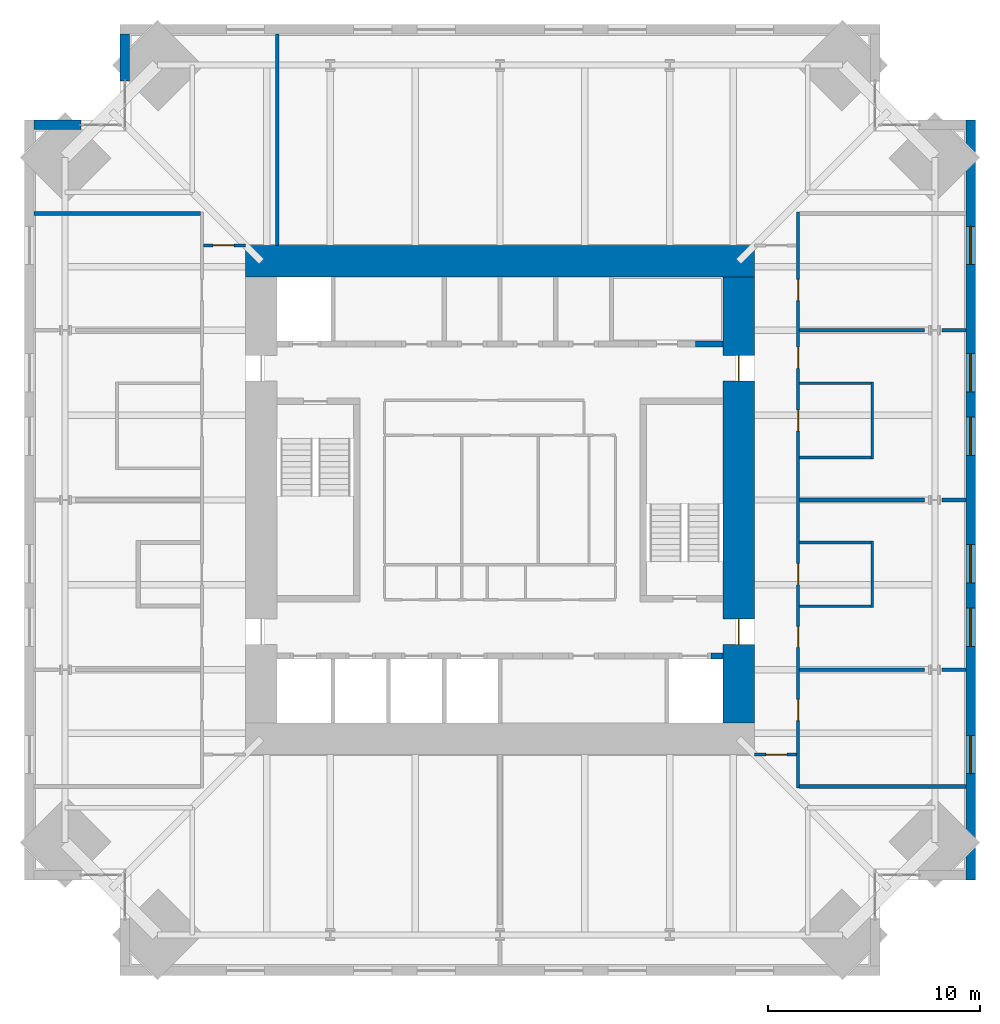
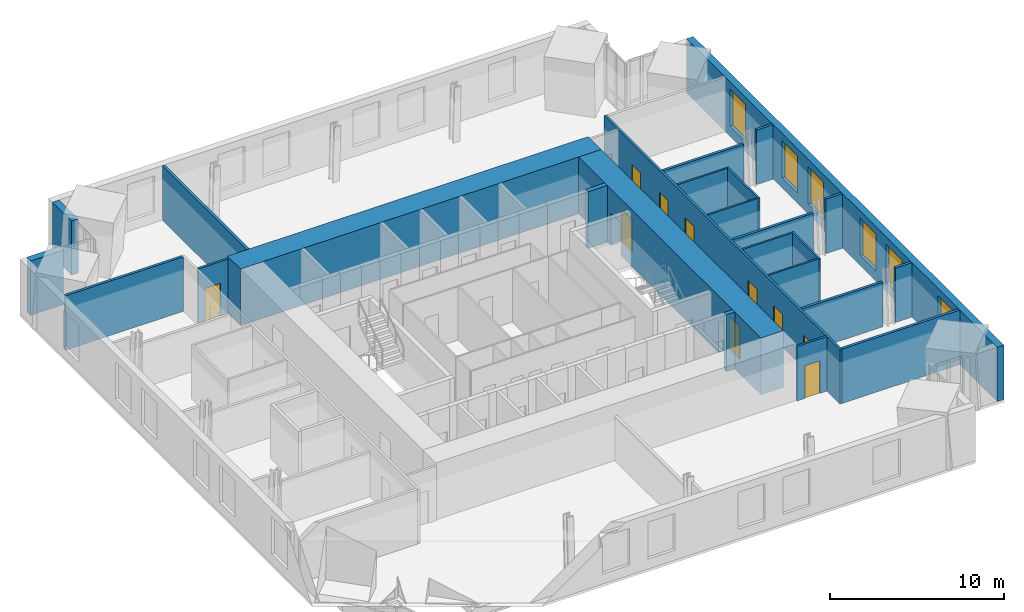
# One storey, part 15 of 17: 25 walls, 10 doors, 6 windows, 16 openings.
"""IFC4 building model written with IfcOpenShell, lengths in metres."""

from ifc_helpers import new_model, si_unit, direction, frame, frame_2d, origin, place, context, subcontext, project, spatial, rectangle, extrude, material, layer, layer_set, type_object, element, fill, save


model = new_model("IFC4")

# Units and contexts
model_context = context("Model", 3, precision=1e-05, world=origin(), true_north=direction((0.0, 1.0)))
body_context = subcontext(model_context, "Body", "Model", "MODEL_VIEW")
ifc_project = project(units=[si_unit("LENGTHUNIT", "METRE"), si_unit("AREAUNIT", "SQUARE_METRE"), si_unit("VOLUMEUNIT", "CUBIC_METRE"), si_unit("PLANEANGLEUNIT", "RADIAN"), si_unit("MASSUNIT", "GRAM", prefix="KILO")], contexts=[model_context])

# Site, building, storey
site_placement = place(None, origin())
site = spatial("IfcSite", under=ifc_project, at=site_placement, CompositionType="ELEMENT")
building_placement = place(site_placement, origin())
building = spatial("IfcBuilding", under=site, at=building_placement, Name="Peilmerk Tower", CompositionType="ELEMENT")
storey_placement = place(building_placement, frame((0.0, 0.0, 257.800048828125)))
storey = spatial("IfcBuildingStorey", under=building, at=storey_placement, Name="L57", CompositionType="ELEMENT", Elevation=257.800048828125)

# Wall, openings, windows
ifc_material_1 = material(Name="Precast concrete C45/55, board-marked finish", Category="concrete")
ifc_layer_1 = layer(ifc_material_1, 0.449951171875)
ifc_layer_set_1 = layer_set([ifc_layer_1], Name="Precast concrete C45/55, board-marked finish")
wall_type_1 = type_object("IfcWallType", Name="EW1 450 precast concrete facade wall, board-marked", PredefinedType="SOLIDWALL", material=ifc_layer_set_1)
wall_1_placement = place(storey_placement, frame((22.175048828125, -17.89990234375, 0.0), z_axis=(0.0, 0.0, 1.0), x_axis=(0.0, 1.0, 0.0)))
wall_1 = element("IfcWall", 1, at=wall_1_placement, inside=storey, type_object=wall_type_1, Name="Facade wall E L57", PredefinedType="SOLIDWALL", context=body_context, shape_type="SweptSolid", body=[
    extrude(rectangle(XDim=35.7998046875, YDim=0.449951171875, at=frame_2d((17.89990234375, 0.0))), origin(), (0.0, 0.0, 1.0), 3.829833984375),
])
opening_1_placement = place(wall_1_placement, frame((5.0, 0.0, 0.699951171875)))
opening_1 = element("IfcOpeningElement", 2, at=opening_1_placement, cuts=wall_1, Name="Opening W1", PredefinedType="OPENING", context=body_context, shape_type="SweptSolid", body=[
    extrude(rectangle(XDim=1.800048828125, YDim=2.60009765625, at=frame_2d((0.89990234375, 1.300048828125))), frame((0.0, 0.23486328125, 0.0), z_axis=(0.0, -1.0, 0.0), x_axis=(1.0, 0.0, 0.0)), (0.0, 0.0, 1.0), 0.469970703125),
])
opening_2_placement = place(wall_1_placement, frame((11.0, 0.0, 0.699951171875)))
opening_2 = element("IfcOpeningElement", 3, at=opening_2_placement, cuts=wall_1, Name="Opening W1", PredefinedType="OPENING", context=body_context, shape_type="SweptSolid", body=[
    extrude(rectangle(XDim=1.800048828125, YDim=2.60009765625, at=frame_2d((0.89990234375, 1.300048828125))), frame((0.0, 0.23486328125, 0.0), z_axis=(0.0, -1.0, 0.0), x_axis=(1.0, 0.0, 0.0)), (0.0, 0.0, 1.0), 0.469970703125),
])
opening_3_placement = place(wall_1_placement, frame((14.0, 0.0, 0.699951171875)))
opening_3 = element("IfcOpeningElement", 4, at=opening_3_placement, cuts=wall_1, Name="Opening W1", PredefinedType="OPENING", context=body_context, shape_type="SweptSolid", body=[
    extrude(rectangle(XDim=1.800048828125, YDim=2.60009765625, at=frame_2d((0.89990234375, 1.300048828125))), frame((0.0, 0.23486328125, 0.0), z_axis=(0.0, -1.0, 0.0), x_axis=(1.0, 0.0, 0.0)), (0.0, 0.0, 1.0), 0.469970703125),
])
opening_4_placement = place(wall_1_placement, frame((20.0, 0.0, 0.699951171875)))
opening_4 = element("IfcOpeningElement", 5, at=opening_4_placement, cuts=wall_1, Name="Opening W1", PredefinedType="OPENING", context=body_context, shape_type="SweptSolid", body=[
    extrude(rectangle(XDim=1.800048828125, YDim=2.60009765625, at=frame_2d((0.89990234375, 1.300048828125))), frame((0.0, 0.23486328125, 0.0), z_axis=(0.0, -1.0, 0.0), x_axis=(1.0, 0.0, 0.0)), (0.0, 0.0, 1.0), 0.469970703125),
])
opening_5_placement = place(wall_1_placement, frame((23.0, 0.0, 0.699951171875)))
opening_5 = element("IfcOpeningElement", 6, at=opening_5_placement, cuts=wall_1, Name="Opening W1", PredefinedType="OPENING", context=body_context, shape_type="SweptSolid", body=[
    extrude(rectangle(XDim=1.800048828125, YDim=2.60009765625, at=frame_2d((0.89990234375, 1.300048828125))), frame((0.0, 0.23486328125, 0.0), z_axis=(0.0, -1.0, 0.0), x_axis=(1.0, 0.0, 0.0)), (0.0, 0.0, 1.0), 0.469970703125),
])
opening_6_placement = place(wall_1_placement, frame((29.0, 0.0, 0.699951171875)))
opening_6 = element("IfcOpeningElement", 7, at=opening_6_placement, cuts=wall_1, Name="Opening W1", PredefinedType="OPENING", context=body_context, shape_type="SweptSolid", body=[
    extrude(rectangle(XDim=1.800048828125, YDim=2.60009765625, at=frame_2d((0.89990234375, 1.300048828125))), frame((0.0, 0.23486328125, 0.0), z_axis=(0.0, -1.0, 0.0), x_axis=(1.0, 0.0, 0.0)), (0.0, 0.0, 1.0), 0.469970703125),
])
ifc_material_2 = material(Name="Aluminium frame, clear double glazing", Category="aluminium")
window_type = type_object("IfcWindowType", Name="W1 1800x2600 office window", PartitioningType="SINGLE_PANEL", PredefinedType="WINDOW", material=ifc_material_2)
window_1_placement = place(opening_1_placement, origin())
window_1 = element("IfcWindow", 8, at=window_1_placement, inside=storey, type_object=window_type, Name="Window W1 L57", OverallHeight=2.60009765625, OverallWidth=1.800048828125, PartitioningType="SINGLE_PANEL", PredefinedType="WINDOW", context=body_context, shape_type="SweptSolid", body=[
    extrude(rectangle(XDim=1.800048828125, YDim=2.60009765625, at=frame_2d((0.89990234375, 1.300048828125))), frame((0.0, 0.030029296875, 0.0), z_axis=(0.0, -1.0, 0.0), x_axis=(1.0, 0.0, 0.0)), (0.0, 0.0, 1.0), 0.06005859375),
])
fill(opening_1, window_1)
window_2_placement = place(opening_2_placement, origin())
window_2 = element("IfcWindow", 9, at=window_2_placement, inside=storey, type_object=window_type, Name="Window W1 L57", OverallHeight=2.60009765625, OverallWidth=1.800048828125, PartitioningType="SINGLE_PANEL", PredefinedType="WINDOW", context=body_context, shape_type="SweptSolid", body=[
    extrude(rectangle(XDim=1.800048828125, YDim=2.60009765625, at=frame_2d((0.89990234375, 1.300048828125))), frame((0.0, 0.030029296875, 0.0), z_axis=(0.0, -1.0, 0.0), x_axis=(1.0, 0.0, 0.0)), (0.0, 0.0, 1.0), 0.06005859375),
])
fill(opening_2, window_2)
window_3_placement = place(opening_3_placement, origin())
window_3 = element("IfcWindow", 10, at=window_3_placement, inside=storey, type_object=window_type, Name="Window W1 L57", OverallHeight=2.60009765625, OverallWidth=1.800048828125, PartitioningType="SINGLE_PANEL", PredefinedType="WINDOW", context=body_context, shape_type="SweptSolid", body=[
    extrude(rectangle(XDim=1.800048828125, YDim=2.60009765625, at=frame_2d((0.89990234375, 1.300048828125))), frame((0.0, 0.030029296875, 0.0), z_axis=(0.0, -1.0, 0.0), x_axis=(1.0, 0.0, 0.0)), (0.0, 0.0, 1.0), 0.06005859375),
])
fill(opening_3, window_3)
window_4_placement = place(opening_4_placement, origin())
window_4 = element("IfcWindow", 11, at=window_4_placement, inside=storey, type_object=window_type, Name="Window W1 L57", OverallHeight=2.60009765625, OverallWidth=1.800048828125, PartitioningType="SINGLE_PANEL", PredefinedType="WINDOW", context=body_context, shape_type="SweptSolid", body=[
    extrude(rectangle(XDim=1.800048828125, YDim=2.60009765625, at=frame_2d((0.89990234375, 1.300048828125))), frame((0.0, 0.030029296875, 0.0), z_axis=(0.0, -1.0, 0.0), x_axis=(1.0, 0.0, 0.0)), (0.0, 0.0, 1.0), 0.06005859375),
])
fill(opening_4, window_4)
window_5_placement = place(opening_5_placement, origin())
window_5 = element("IfcWindow", 12, at=window_5_placement, inside=storey, type_object=window_type, Name="Window W1 L57", OverallHeight=2.60009765625, OverallWidth=1.800048828125, PartitioningType="SINGLE_PANEL", PredefinedType="WINDOW", context=body_context, shape_type="SweptSolid", body=[
    extrude(rectangle(XDim=1.800048828125, YDim=2.60009765625, at=frame_2d((0.89990234375, 1.300048828125))), frame((0.0, 0.030029296875, 0.0), z_axis=(0.0, -1.0, 0.0), x_axis=(1.0, 0.0, 0.0)), (0.0, 0.0, 1.0), 0.06005859375),
])
fill(opening_5, window_5)
window_6_placement = place(opening_6_placement, origin())
window_6 = element("IfcWindow", 13, at=window_6_placement, inside=storey, type_object=window_type, Name="Window W1 L57", OverallHeight=2.60009765625, OverallWidth=1.800048828125, PartitioningType="SINGLE_PANEL", PredefinedType="WINDOW", context=body_context, shape_type="SweptSolid", body=[
    extrude(rectangle(XDim=1.800048828125, YDim=2.60009765625, at=frame_2d((0.89990234375, 1.300048828125))), frame((0.0, 0.030029296875, 0.0), z_axis=(0.0, -1.0, 0.0), x_axis=(1.0, 0.0, 0.0)), (0.0, 0.0, 1.0), 0.06005859375),
])
fill(opening_6, window_6)

# Walls
for number, where, z_axis, x_axis, name in (
    (14, (-17.675048828125, 19.753662109375, 0.0), (0.0, 0.0, 1.0), (0.0, 1.0, 0.0), "Facade wall NWA L57"),
    (15, (-19.753662109375, 17.675048828125, 0.0), (0.0, 0.0, 1.0), (-1.0, 0.0, 0.0), "Facade wall NWB L57"),
):
    element("IfcWall", number, at=place(storey_placement, frame(where, z_axis=z_axis, x_axis=x_axis)), inside=storey, type_object=wall_type_1, Name=name, PredefinedType="SOLIDWALL", context=body_context, shape_type="SweptSolid", body=[
        extrude(rectangle(XDim=2.1962890625, YDim=0.449951171875, at=frame_2d((1.09814453125, 0.0))), origin(), (0.0, 0.0, 1.0), 3.829833984375),
    ])

# Wall, openings, doors
ifc_material_3 = material(Name="Calcium silicate block", Category="masonry")
ifc_layer_2 = layer(ifc_material_3, 0.14990234375)
ifc_layer_set_2 = layer_set([ifc_layer_2], Name="Calcium silicate block")
wall_type_2 = type_object("IfcWallType", Name="IW1 150 corridor partition, EI 60", PredefinedType="PARTITIONING", material=ifc_layer_set_2)
wall_2_placement = place(storey_placement, frame((14.050048828125, -13.574951171875, 0.0), z_axis=(0.0, 0.0, 1.0), x_axis=(0.0, 1.0, 0.0)))
wall_2 = element("IfcWall", 16, at=wall_2_placement, inside=storey, type_object=wall_type_2, Name="Corridor wall E L57", PredefinedType="PARTITIONING", context=body_context, shape_type="SweptSolid", body=[
    extrude(rectangle(XDim=27.14990234375, YDim=0.14990234375, at=frame_2d((13.574951171875, 0.0))), origin(), (0.0, 0.0, 1.0), 3.829833984375),
])
opening_7_placement = place(wall_2_placement, frame((3.175048828125, 0.0, 0.0)))
opening_7 = element("IfcOpeningElement", 17, at=opening_7_placement, cuts=wall_2, Name="Opening D1", PredefinedType="OPENING", context=body_context, shape_type="SweptSolid", body=[
    extrude(rectangle(XDim=1.0, YDim=2.300048828125, at=frame_2d((0.5, 1.14990234375))), frame((0.0, 0.0849609375, 0.0), z_axis=(0.0, -1.0, 0.0), x_axis=(1.0, 0.0, 0.0)), (0.0, 0.0, 1.0), 0.169921875),
])
opening_8_placement = place(wall_2_placement, frame((6.625, 0.0, 0.0)))
opening_8 = element("IfcOpeningElement", 18, at=opening_8_placement, cuts=wall_2, Name="Opening D1", PredefinedType="OPENING", context=body_context, shape_type="SweptSolid", body=[
    extrude(rectangle(XDim=1.0, YDim=2.300048828125, at=frame_2d((0.5, 1.14990234375))), frame((0.0, 0.0849609375, 0.0), z_axis=(0.0, -1.0, 0.0), x_axis=(1.0, 0.0, 0.0)), (0.0, 0.0, 1.0), 0.169921875),
])
opening_9_placement = place(wall_2_placement, frame((19.77490234375, 0.0, 0.0)))
opening_9 = element("IfcOpeningElement", 19, at=opening_9_placement, cuts=wall_2, Name="Opening D1", PredefinedType="OPENING", context=body_context, shape_type="SweptSolid", body=[
    extrude(rectangle(XDim=1.0, YDim=2.300048828125, at=frame_2d((0.5, 1.14990234375))), frame((0.0, 0.0849609375, 0.0), z_axis=(0.0, -1.0, 0.0), x_axis=(1.0, 0.0, 0.0)), (0.0, 0.0, 1.0), 0.169921875),
])
opening_10_placement = place(wall_2_placement, frame((22.97509765625, 0.0, 0.0)))
opening_10 = element("IfcOpeningElement", 20, at=opening_10_placement, cuts=wall_2, Name="Opening D1", PredefinedType="OPENING", context=body_context, shape_type="SweptSolid", body=[
    extrude(rectangle(XDim=1.0, YDim=2.300048828125, at=frame_2d((0.5, 1.14990234375))), frame((0.0, 0.0849609375, 0.0), z_axis=(0.0, -1.0, 0.0), x_axis=(1.0, 0.0, 0.0)), (0.0, 0.0, 1.0), 0.169921875),
])
opening_11_placement = place(wall_2_placement, frame((16.824951171875, 0.0, 0.0)))
opening_11 = element("IfcOpeningElement", 21, at=opening_11_placement, cuts=wall_2, Name="Opening D1", PredefinedType="OPENING", context=body_context, shape_type="SweptSolid", body=[
    extrude(rectangle(XDim=1.0, YDim=2.300048828125, at=frame_2d((0.5, 1.14990234375))), frame((0.0, 0.0849609375, 0.0), z_axis=(0.0, -1.0, 0.0), x_axis=(1.0, 0.0, 0.0)), (0.0, 0.0, 1.0), 0.169921875),
])
opening_12_placement = place(wall_2_placement, frame((9.574951171875, 0.0, 0.0)))
opening_12 = element("IfcOpeningElement", 22, at=opening_12_placement, cuts=wall_2, Name="Opening D1", PredefinedType="OPENING", context=body_context, shape_type="SweptSolid", body=[
    extrude(rectangle(XDim=1.0, YDim=2.300048828125, at=frame_2d((0.5, 1.14990234375))), frame((0.0, 0.0849609375, 0.0), z_axis=(0.0, -1.0, 0.0), x_axis=(1.0, 0.0, 0.0)), (0.0, 0.0, 1.0), 0.169921875),
])
ifc_material_4 = material(Name="Timber door in steel frame", Category="steel")
door_type_1 = type_object("IfcDoorType", Name="D1 1000x2300 room door, EI2 30", OperationType="SINGLE_SWING_LEFT", PredefinedType="DOOR", material=ifc_material_4)
door_1_placement = place(opening_7_placement, frame((1.0, 0.0, 0.0), z_axis=(0.0, 0.0, 1.0), x_axis=(-1.0, 0.0, 0.0)))
door_1 = element("IfcDoor", 23, at=door_1_placement, inside=storey, type_object=door_type_1, Name="Door Office L57", OperationType="SINGLE_SWING_LEFT", OverallHeight=2.300048828125, OverallWidth=1.0, PredefinedType="DOOR", context=body_context, shape_type="SweptSolid", body=[
    extrude(rectangle(XDim=1.0, YDim=2.300048828125, at=frame_2d((0.5, 1.14990234375))), frame((0.0, 0.02490234375, 0.0), z_axis=(0.0, -1.0, 0.0), x_axis=(1.0, 0.0, 0.0)), (0.0, 0.0, 1.0), 0.050048828125),
])
fill(opening_7, door_1)
door_2_placement = place(opening_8_placement, frame((1.0, 0.0, 0.0), z_axis=(0.0, 0.0, 1.0), x_axis=(-1.0, 0.0, 0.0)))
door_2 = element("IfcDoor", 24, at=door_2_placement, inside=storey, type_object=door_type_1, Name="Door Office L57", OperationType="SINGLE_SWING_LEFT", OverallHeight=2.300048828125, OverallWidth=1.0, PredefinedType="DOOR", context=body_context, shape_type="SweptSolid", body=[
    extrude(rectangle(XDim=1.0, YDim=2.300048828125, at=frame_2d((0.5, 1.14990234375))), frame((0.0, 0.02490234375, 0.0), z_axis=(0.0, -1.0, 0.0), x_axis=(1.0, 0.0, 0.0)), (0.0, 0.0, 1.0), 0.050048828125),
])
fill(opening_8, door_2)
door_3_placement = place(opening_9_placement, frame((1.0, 0.0, 0.0), z_axis=(0.0, 0.0, 1.0), x_axis=(-1.0, 0.0, 0.0)))
door_3 = element("IfcDoor", 25, at=door_3_placement, inside=storey, type_object=door_type_1, Name="Door Office L57", OperationType="SINGLE_SWING_LEFT", OverallHeight=2.300048828125, OverallWidth=1.0, PredefinedType="DOOR", context=body_context, shape_type="SweptSolid", body=[
    extrude(rectangle(XDim=1.0, YDim=2.300048828125, at=frame_2d((0.5, 1.14990234375))), frame((0.0, 0.02490234375, 0.0), z_axis=(0.0, -1.0, 0.0), x_axis=(1.0, 0.0, 0.0)), (0.0, 0.0, 1.0), 0.050048828125),
])
fill(opening_9, door_3)
door_4_placement = place(opening_10_placement, frame((1.0, 0.0, 0.0), z_axis=(0.0, 0.0, 1.0), x_axis=(-1.0, 0.0, 0.0)))
door_4 = element("IfcDoor", 26, at=door_4_placement, inside=storey, type_object=door_type_1, Name="Door Office L57", OperationType="SINGLE_SWING_LEFT", OverallHeight=2.300048828125, OverallWidth=1.0, PredefinedType="DOOR", context=body_context, shape_type="SweptSolid", body=[
    extrude(rectangle(XDim=1.0, YDim=2.300048828125, at=frame_2d((0.5, 1.14990234375))), frame((0.0, 0.02490234375, 0.0), z_axis=(0.0, -1.0, 0.0), x_axis=(1.0, 0.0, 0.0)), (0.0, 0.0, 1.0), 0.050048828125),
])
fill(opening_10, door_4)
door_5_placement = place(opening_11_placement, frame((1.0, 0.0, 0.0), z_axis=(0.0, 0.0, 1.0), x_axis=(-1.0, 0.0, 0.0)))
door_5 = element("IfcDoor", 27, at=door_5_placement, inside=storey, type_object=door_type_1, Name="Door Pantry L57", OperationType="SINGLE_SWING_LEFT", OverallHeight=2.300048828125, OverallWidth=1.0, PredefinedType="DOOR", context=body_context, shape_type="SweptSolid", body=[
    extrude(rectangle(XDim=1.0, YDim=2.300048828125, at=frame_2d((0.5, 1.14990234375))), frame((0.0, 0.02490234375, 0.0), z_axis=(0.0, -1.0, 0.0), x_axis=(1.0, 0.0, 0.0)), (0.0, 0.0, 1.0), 0.050048828125),
])
fill(opening_11, door_5)
door_6_placement = place(opening_12_placement, frame((1.0, 0.0, 0.0), z_axis=(0.0, 0.0, 1.0), x_axis=(-1.0, 0.0, 0.0)))
door_6 = element("IfcDoor", 28, at=door_6_placement, inside=storey, type_object=door_type_1, Name="Door Focus room L57", OperationType="SINGLE_SWING_LEFT", OverallHeight=2.300048828125, OverallWidth=1.0, PredefinedType="DOOR", context=body_context, shape_type="SweptSolid", body=[
    extrude(rectangle(XDim=1.0, YDim=2.300048828125, at=frame_2d((0.5, 1.14990234375))), frame((0.0, 0.02490234375, 0.0), z_axis=(0.0, -1.0, 0.0), x_axis=(1.0, 0.0, 0.0)), (0.0, 0.0, 1.0), 0.050048828125),
])
fill(opening_12, door_6)

# Wall, opening, door
wall_3_placement = place(storey_placement, frame((-13.97509765625, 12.0, 0.0), z_axis=(0.0, 0.0, 1.0), x_axis=(1.0, 0.0, 0.0)))
wall_3 = element("IfcWall", 29, at=wall_3_placement, inside=storey, type_object=wall_type_2, Name="Corridor wall NW L57", PredefinedType="PARTITIONING", context=body_context, shape_type="SweptSolid", body=[
    extrude(rectangle(XDim=1.97509765625, YDim=0.14990234375, at=frame_2d((0.987548828125, 0.0))), origin(), (0.0, 0.0, 1.0), 3.829833984375),
])
opening_13_placement = place(wall_3_placement, frame((0.449951171875, 0.0, 0.0)))
opening_13 = element("IfcOpeningElement", 30, at=opening_13_placement, cuts=wall_3, Name="Opening D1", PredefinedType="OPENING", context=body_context, shape_type="SweptSolid", body=[
    extrude(rectangle(XDim=1.0, YDim=2.300048828125, at=frame_2d((0.5, 1.14990234375))), frame((0.0, 0.0849609375, 0.0), z_axis=(0.0, -1.0, 0.0), x_axis=(1.0, 0.0, 0.0)), (0.0, 0.0, 1.0), 0.169921875),
])
door_7_placement = place(opening_13_placement, origin())
door_7 = element("IfcDoor", 31, at=door_7_placement, inside=storey, type_object=door_type_1, Name="Door Office L57", OperationType="SINGLE_SWING_LEFT", OverallHeight=2.300048828125, OverallWidth=1.0, PredefinedType="DOOR", context=body_context, shape_type="SweptSolid", body=[
    extrude(rectangle(XDim=1.0, YDim=2.300048828125, at=frame_2d((0.5, 1.14990234375))), frame((0.0, 0.02490234375, 0.0), z_axis=(0.0, -1.0, 0.0), x_axis=(1.0, 0.0, 0.0)), (0.0, 0.0, 1.0), 0.050048828125),
])
fill(opening_13, door_7)

wall_4_placement = place(storey_placement, frame((13.97509765625, -12.0, 0.0), z_axis=(0.0, 0.0, 1.0), x_axis=(-1.0, 0.0, 0.0)))
wall_4 = element("IfcWall", 32, at=wall_4_placement, inside=storey, type_object=wall_type_2, Name="Corridor wall SE L57", PredefinedType="PARTITIONING", context=body_context, shape_type="SweptSolid", body=[
    extrude(rectangle(XDim=1.97509765625, YDim=0.14990234375, at=frame_2d((0.987548828125, 0.0))), origin(), (0.0, 0.0, 1.0), 3.829833984375),
])
opening_14_placement = place(wall_4_placement, frame((0.449951171875, 0.0, 0.0)))
opening_14 = element("IfcOpeningElement", 33, at=opening_14_placement, cuts=wall_4, Name="Opening D1", PredefinedType="OPENING", context=body_context, shape_type="SweptSolid", body=[
    extrude(rectangle(XDim=1.0, YDim=2.300048828125, at=frame_2d((0.5, 1.14990234375))), frame((0.0, 0.0849609375, 0.0), z_axis=(0.0, -1.0, 0.0), x_axis=(1.0, 0.0, 0.0)), (0.0, 0.0, 1.0), 0.169921875),
])
door_8_placement = place(opening_14_placement, origin())
door_8 = element("IfcDoor", 34, at=door_8_placement, inside=storey, type_object=door_type_1, Name="Door Office L57", OperationType="SINGLE_SWING_LEFT", OverallHeight=2.300048828125, OverallWidth=1.0, PredefinedType="DOOR", context=body_context, shape_type="SweptSolid", body=[
    extrude(rectangle(XDim=1.0, YDim=2.300048828125, at=frame_2d((0.5, 1.14990234375))), frame((0.0, 0.02490234375, 0.0), z_axis=(0.0, -1.0, 0.0), x_axis=(1.0, 0.0, 0.0)), (0.0, 0.0, 1.0), 0.050048828125),
])
fill(opening_14, door_8)

# Walls
ifc_material_5 = material(Name="Plasterboard on steel studs, double boarded with mineral wool", Category="steel")
ifc_layer_3 = layer(ifc_material_5, 0.125)
ifc_layer_set_3 = layer_set([ifc_layer_3], Name="Plasterboard on steel studs, double boarded with mineral wool")
wall_type_3 = type_object("IfcWallType", Name="IW7 125 acoustic partition, EI 30", PredefinedType="PARTITIONING", material=ifc_layer_set_3)
wall_5_placement = place(storey_placement, frame((17.550048828125, 1.9375, 0.0), z_axis=(0.0, 0.0, 1.0), x_axis=(0.0, 1.0, 0.0)))
element("IfcWall", 35, at=wall_5_placement, inside=storey, type_object=wall_type_3, Name="Acoustic partition Pantry L57", PredefinedType="PARTITIONING", context=body_context, shape_type="SweptSolid", body=[
    extrude(rectangle(XDim=3.625, YDim=0.125, at=frame_2d((1.8125, 0.0))), origin(), (0.0, 0.0, 1.0), 3.829833984375),
])
for number, where, z_axis, x_axis, name in (
    (36, (14.125, 2.0, 0.0), (0.0, 0.0, 1.0), (1.0, 0.0, 0.0), "Acoustic partition Pantry L57"),
    (37, (14.125, 5.5, 0.0), (0.0, 0.0, 1.0), (1.0, 0.0, 0.0), "Acoustic partition Pantry L57"),
):
    element("IfcWall", number, at=place(storey_placement, frame(where, z_axis=z_axis, x_axis=x_axis)), inside=storey, type_object=wall_type_3, Name=name, PredefinedType="PARTITIONING", context=body_context, shape_type="SweptSolid", body=[
        extrude(rectangle(XDim=3.362548828125, YDim=0.125, at=frame_2d((1.68115234375, 0.0))), origin(), (0.0, 0.0, 1.0), 3.829833984375),
    ])
wall_6_placement = place(storey_placement, frame((17.550048828125, -5.0625, 0.0), z_axis=(0.0, 0.0, 1.0), x_axis=(0.0, 1.0, 0.0)))
element("IfcWall", 38, at=wall_6_placement, inside=storey, type_object=wall_type_3, Name="Acoustic partition Focus room L57", PredefinedType="PARTITIONING", context=body_context, shape_type="SweptSolid", body=[
    extrude(rectangle(XDim=3.125, YDim=0.125, at=frame_2d((1.5625, 0.0))), origin(), (0.0, 0.0, 1.0), 3.829833984375),
])
for number, where, z_axis, x_axis, name in (
    (39, (14.125, -5.0, 0.0), (0.0, 0.0, 1.0), (1.0, 0.0, 0.0), "Acoustic partition Focus room L57"),
    (40, (14.125, -2.0, 0.0), (0.0, 0.0, 1.0), (1.0, 0.0, 0.0), "Acoustic partition Focus room L57"),
):
    element("IfcWall", number, at=place(storey_placement, frame(where, z_axis=z_axis, x_axis=x_axis)), inside=storey, type_object=wall_type_3, Name=name, PredefinedType="PARTITIONING", context=body_context, shape_type="SweptSolid", body=[
        extrude(rectangle(XDim=3.362548828125, YDim=0.125, at=frame_2d((1.68115234375, 0.0))), origin(), (0.0, 0.0, 1.0), 3.829833984375),
    ])
ifc_layer_4 = layer(ifc_material_3, 0.175048828125)
ifc_layer_set_4 = layer_set([ifc_layer_4], Name="Calcium silicate block")
wall_type_4 = type_object("IfcWallType", Name="IW8 175 tenant separating wall, EI 60", PredefinedType="PARTITIONING", material=ifc_layer_set_4)
for number, where, z_axis, x_axis, name in (
    (41, (-21.949951171875, 13.5, 0.0), (0.0, 0.0, 1.0), (1.0, 0.0, 0.0), "Tenant separating wall NW L57"),
    (42, (21.949951171875, -13.5, 0.0), (0.0, 0.0, 1.0), (-1.0, 0.0, 0.0), "Tenant separating wall SE L57"),
):
    element("IfcWall", number, at=place(storey_placement, frame(where, z_axis=z_axis, x_axis=x_axis)), inside=storey, type_object=wall_type_4, Name=name, PredefinedType="PARTITIONING", context=body_context, shape_type="SweptSolid", body=[
        extrude(rectangle(XDim=7.824951171875, YDim=0.175048828125, at=frame_2d((3.91259765625, 0.0))), origin(), (0.0, 0.0, 1.0), 3.829833984375),
    ])
wall_7_placement = place(storey_placement, frame((-10.5, 12.0, 0.0), z_axis=(0.0, 0.0, 1.0), x_axis=(0.0, 1.0, 0.0)))
element("IfcWall", 43, at=wall_7_placement, inside=storey, type_object=wall_type_4, Name="Tenant separating wall N1 L57", PredefinedType="PARTITIONING", context=body_context, shape_type="SweptSolid", body=[
    extrude(rectangle(XDim=9.949951171875, YDim=0.175048828125, at=frame_2d((4.97509765625, 0.0))), origin(), (0.0, 0.0, 1.0), 3.829833984375),
])
wall_8_placement = place(storey_placement, frame((14.125, -8.0, 0.0), z_axis=(0.0, 0.0, 1.0), x_axis=(1.0, 0.0, 0.0)))
element("IfcWall", 44, at=wall_8_placement, inside=storey, type_object=wall_type_4, Name="Tenant separating wall E1 L57", PredefinedType="PARTITIONING", context=body_context, shape_type="SweptSolid", body=[
    extrude(rectangle(XDim=5.8857421875, YDim=0.175048828125, at=frame_2d((2.94287109375, 0.0))), origin(), (0.0, 0.0, 1.0), 3.139892578125),
])
wall_9_placement = place(storey_placement, frame((20.831298828125, -8.0, 0.0), z_axis=(0.0, 0.0, 1.0), x_axis=(1.0, 0.0, 0.0)))
element("IfcWall", 45, at=wall_9_placement, inside=storey, type_object=wall_type_4, Name="Tenant separating wall E1b L57", PredefinedType="PARTITIONING", context=body_context, shape_type="SweptSolid", body=[
    extrude(rectangle(XDim=1.11865234375, YDim=0.175048828125, at=frame_2d((0.559326171875, 0.0))), origin(), (0.0, 0.0, 1.0), 3.829833984375),
])
wall_10_placement = place(storey_placement, frame((14.125, 0.0, 0.0), z_axis=(0.0, 0.0, 1.0), x_axis=(1.0, 0.0, 0.0)))
element("IfcWall", 46, at=wall_10_placement, inside=storey, type_object=wall_type_4, Name="Tenant separating wall E2 L57", PredefinedType="PARTITIONING", context=body_context, shape_type="SweptSolid", body=[
    extrude(rectangle(XDim=5.8857421875, YDim=0.175048828125, at=frame_2d((2.94287109375, 0.0))), origin(), (0.0, 0.0, 1.0), 3.139892578125),
])
wall_11_placement = place(storey_placement, frame((20.831298828125, 0.0, 0.0), z_axis=(0.0, 0.0, 1.0), x_axis=(1.0, 0.0, 0.0)))
element("IfcWall", 47, at=wall_11_placement, inside=storey, type_object=wall_type_4, Name="Tenant separating wall E2b L57", PredefinedType="PARTITIONING", context=body_context, shape_type="SweptSolid", body=[
    extrude(rectangle(XDim=1.11865234375, YDim=0.175048828125, at=frame_2d((0.559326171875, 0.0))), origin(), (0.0, 0.0, 1.0), 3.829833984375),
])
wall_12_placement = place(storey_placement, frame((14.125, 8.0, 0.0), z_axis=(0.0, 0.0, 1.0), x_axis=(1.0, 0.0, 0.0)))
element("IfcWall", 48, at=wall_12_placement, inside=storey, type_object=wall_type_4, Name="Tenant separating wall E3 L57", PredefinedType="PARTITIONING", context=body_context, shape_type="SweptSolid", body=[
    extrude(rectangle(XDim=5.8857421875, YDim=0.175048828125, at=frame_2d((2.94287109375, 0.0))), origin(), (0.0, 0.0, 1.0), 3.139892578125),
])
wall_13_placement = place(storey_placement, frame((20.831298828125, 8.0, 0.0), z_axis=(0.0, 0.0, 1.0), x_axis=(1.0, 0.0, 0.0)))
element("IfcWall", 49, at=wall_13_placement, inside=storey, type_object=wall_type_4, Name="Tenant separating wall E3b L57", PredefinedType="PARTITIONING", context=body_context, shape_type="SweptSolid", body=[
    extrude(rectangle(XDim=1.11865234375, YDim=0.175048828125, at=frame_2d((0.559326171875, 0.0))), origin(), (0.0, 0.0, 1.0), 3.829833984375),
])
ifc_material_6 = material(Name="Concrete C55/67", Category="concrete")
ifc_layer_5 = layer(ifc_material_6, 1.5)
ifc_layer_set_5 = layer_set([ifc_layer_5], Name="Concrete C55/67")
wall_type_5 = type_object("IfcWallType", Name="SW1 1500 core wall", PredefinedType="SHEAR", material=ifc_layer_set_5)
wall_14_placement = place(storey_placement, frame((-12.0, 11.25, 0.0), z_axis=(0.0, 0.0, 1.0), x_axis=(1.0, 0.0, 0.0)))
element("IfcWall", 50, at=wall_14_placement, inside=storey, type_object=wall_type_5, Name="Core wall N L57", PredefinedType="SHEAR", context=body_context, shape_type="SweptSolid", body=[
    extrude(rectangle(XDim=24.0, YDim=1.5, at=frame_2d((12.0, 0.0))), origin(), (0.0, 0.0, 1.0), 4.0),
])

# Wall, openings, doors
wall_15_placement = place(storey_placement, frame((11.25, 10.5, 0.0), z_axis=(0.0, 0.0, 1.0), x_axis=(0.0, -1.0, 0.0)))
wall_15 = element("IfcWall", 51, at=wall_15_placement, inside=storey, type_object=wall_type_5, Name="Core wall E L57", PredefinedType="SHEAR", context=body_context, shape_type="SweptSolid", body=[
    extrude(rectangle(XDim=21.0, YDim=1.5, at=frame_2d((10.5, 0.0))), origin(), (0.0, 0.0, 1.0), 4.0),
])
opening_15_placement = place(wall_15_placement, frame((3.699951171875, 0.0, 0.0)))
opening_15 = element("IfcOpeningElement", 52, at=opening_15_placement, cuts=wall_15, Name="Opening D3", PredefinedType="OPENING", context=body_context, shape_type="SweptSolid", body=[
    extrude(rectangle(XDim=1.199951171875, YDim=2.300048828125, at=frame_2d((0.60009765625, 1.14990234375))), frame((0.0, 0.760009765625, 0.0), z_axis=(0.0, -1.0, 0.0), x_axis=(1.0, 0.0, 0.0)), (0.0, 0.0, 1.0), 1.52001953125),
])
opening_16_placement = place(wall_15_placement, frame((16.10009765625, 0.0, 0.0)))
opening_16 = element("IfcOpeningElement", 53, at=opening_16_placement, cuts=wall_15, Name="Opening D3", PredefinedType="OPENING", context=body_context, shape_type="SweptSolid", body=[
    extrude(rectangle(XDim=1.199951171875, YDim=2.300048828125, at=frame_2d((0.60009765625, 1.14990234375))), frame((0.0, 0.760009765625, 0.0), z_axis=(0.0, -1.0, 0.0), x_axis=(1.0, 0.0, 0.0)), (0.0, 0.0, 1.0), 1.52001953125),
])
ifc_material_7 = material(Name="Steel door in steel frame", Category="steel")
door_type_2 = type_object("IfcDoorType", Name="D3 1200x2300 core door, EI2 60", OperationType="SINGLE_SWING_LEFT", PredefinedType="DOOR", material=ifc_material_7)
door_9_placement = place(opening_15_placement, frame((1.199951171875, 0.0, 0.0), z_axis=(0.0, 0.0, 1.0), x_axis=(-1.0, 0.0, 0.0)))
door_9 = element("IfcDoor", 54, at=door_9_placement, inside=storey, type_object=door_type_2, Name="Core door L57", OperationType="SINGLE_SWING_LEFT", OverallHeight=2.300048828125, OverallWidth=1.199951171875, PredefinedType="DOOR", context=body_context, shape_type="SweptSolid", body=[
    extrude(rectangle(XDim=1.199951171875, YDim=2.300048828125, at=frame_2d((0.60009765625, 1.14990234375))), frame((0.0, 0.02490234375, 0.0), z_axis=(0.0, -1.0, 0.0), x_axis=(1.0, 0.0, 0.0)), (0.0, 0.0, 1.0), 0.050048828125),
])
fill(opening_15, door_9)
door_10_placement = place(opening_16_placement, frame((1.199951171875, 0.0, 0.0), z_axis=(0.0, 0.0, 1.0), x_axis=(-1.0, 0.0, 0.0)))
door_10 = element("IfcDoor", 55, at=door_10_placement, inside=storey, type_object=door_type_2, Name="Core door L57", OperationType="SINGLE_SWING_LEFT", OverallHeight=2.300048828125, OverallWidth=1.199951171875, PredefinedType="DOOR", context=body_context, shape_type="SweptSolid", body=[
    extrude(rectangle(XDim=1.199951171875, YDim=2.300048828125, at=frame_2d((0.60009765625, 1.14990234375))), frame((0.0, 0.02490234375, 0.0), z_axis=(0.0, -1.0, 0.0), x_axis=(1.0, 0.0, 0.0)), (0.0, 0.0, 1.0), 0.050048828125),
])
fill(opening_16, door_10)

# Walls
ifc_layer_6 = layer(ifc_material_6, 0.300048828125)
ifc_layer_set_6 = layer_set([ifc_layer_6], Name="Concrete C55/67")
wall_type_6 = type_object("IfcWallType", Name="SW2 300 lift bank pier", PredefinedType="SHEAR", material=ifc_layer_set_6)
wall_16_placement = place(storey_placement, frame((9.22509765625, 7.35009765625, 0.0), z_axis=(0.0, 0.0, 1.0), x_axis=(1.0, 0.0, 0.0)))
element("IfcWall", 56, at=wall_16_placement, inside=storey, type_object=wall_type_6, Name="Lift bank pier N L57", PredefinedType="SHEAR", context=body_context, shape_type="SweptSolid", body=[
    extrude(rectangle(XDim=1.27490234375, YDim=0.300048828125, at=frame_2d((0.637451171875, 0.0))), origin(), (0.0, 0.0, 1.0), 4.0),
])
wall_17_placement = place(storey_placement, frame((9.9375, -7.35009765625, 0.0), z_axis=(0.0, 0.0, 1.0), x_axis=(1.0, 0.0, 0.0)))
element("IfcWall", 57, at=wall_17_placement, inside=storey, type_object=wall_type_6, Name="Lift bank pier S L57", PredefinedType="SHEAR", context=body_context, shape_type="SweptSolid", body=[
    extrude(rectangle(XDim=0.5625, YDim=0.300048828125, at=frame_2d((0.28125, 0.0))), origin(), (0.0, 0.0, 1.0), 4.0),
])

save(model, "model.ifc")
